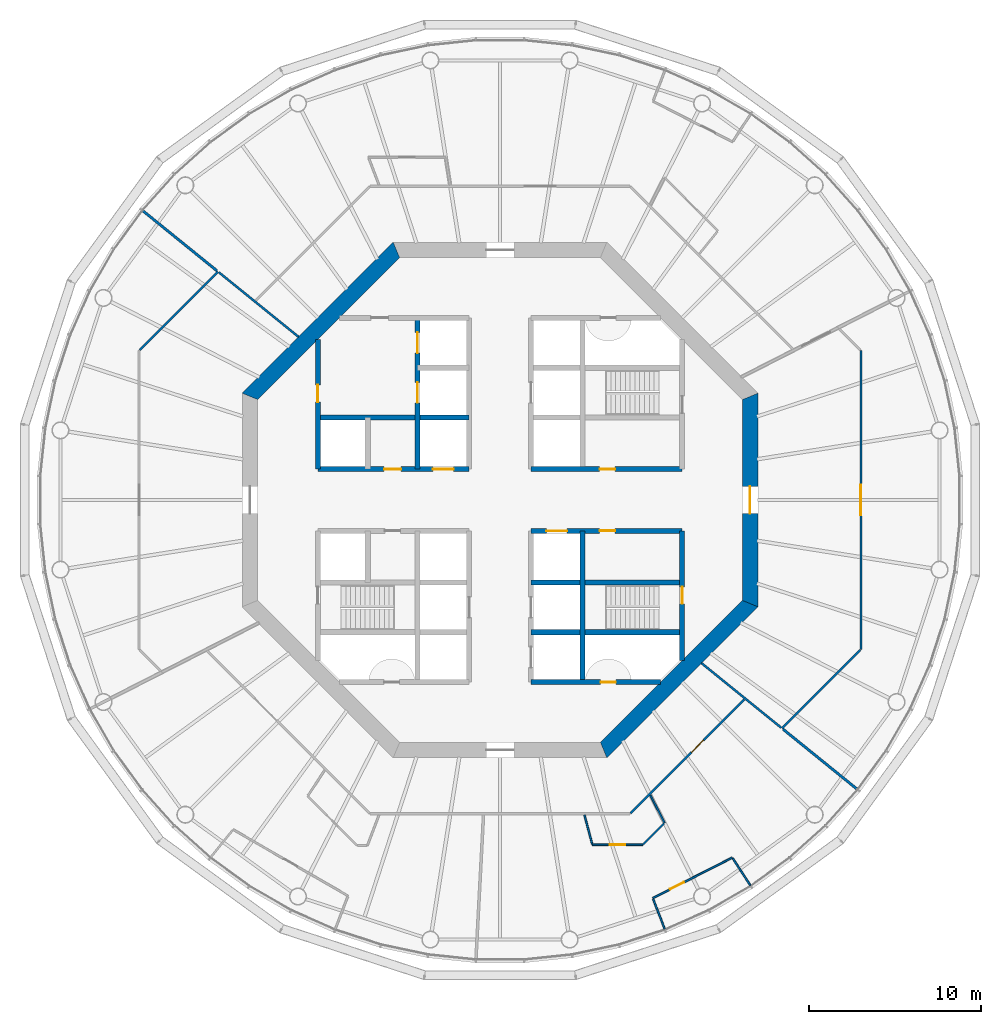
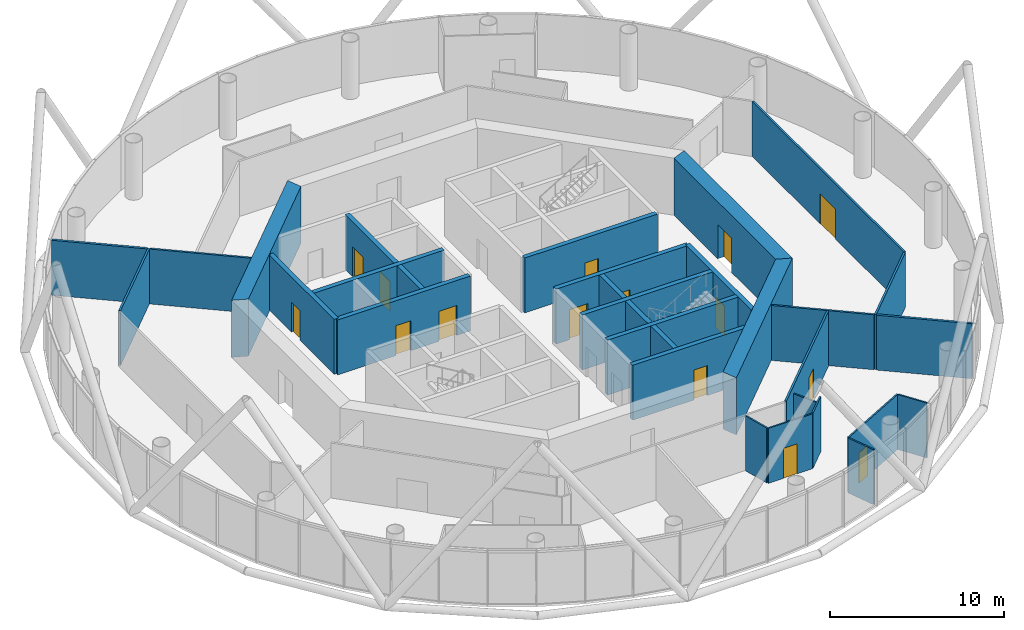
# One storey, part 4 of 13: 29 walls, 15 doors, 15 openings.
"""IFC4 building model written with IfcOpenShell, lengths in metres."""

from ifc_helpers import new_model, si_unit, direction, frame, frame_2d, origin, place, context, subcontext, project, spatial, polyline, rectangle, outline, extrude, material, layer, layer_set, type_object, element, fill, save


model = new_model("IFC4")

# Units and contexts
model_context = context("Model", 3, precision=1e-05, world=origin(), true_north=direction((0.0, 1.0)))
body_context = subcontext(model_context, "Body", "Model", "MODEL_VIEW")
ifc_project = project(units=[si_unit("LENGTHUNIT", "METRE"), si_unit("AREAUNIT", "SQUARE_METRE"), si_unit("VOLUMEUNIT", "CUBIC_METRE"), si_unit("PLANEANGLEUNIT", "RADIAN"), si_unit("MASSUNIT", "GRAM", prefix="KILO")], contexts=[model_context])

# Site, building, storey
site_placement = place(None, origin())
site = spatial("IfcSite", under=ifc_project, at=site_placement, CompositionType="ELEMENT")
building_placement = place(site_placement, origin())
building = spatial("IfcBuilding", under=site, at=building_placement, Name="Entoto Ring Tower", CompositionType="ELEMENT")
storey_placement = place(building_placement, frame((0.0, 0.0, 250.0)))
storey = spatial("IfcBuildingStorey", under=building, at=storey_placement, Name="L57", CompositionType="ELEMENT", Elevation=250.0)

# Wall, opening, door
ifc_material_1 = material(Name="Concrete C40/50", Category="concrete")
ifc_layer_1 = layer(ifc_material_1, 0.300048828125)
ifc_layer_set_1 = layer_set([ifc_layer_1], Name="Concrete C40/50")
wall_type_1 = type_object("IfcWallType", Name="Core enclosure wall 300 mm reinforced concrete", PredefinedType="SOLIDWALL", material=ifc_layer_set_1)
wall_1_placement = place(storey_placement, frame((100.60009765625, 70.65966796875, 0.0), z_axis=(0.0, 0.0, 1.0), x_axis=(0.0, 1.0, 0.0)))
wall_1 = element("IfcWall", 1, at=wall_1_placement, inside=storey, type_object=wall_type_1, Name="wall-L57-001", PredefinedType="SOLIDWALL", context=body_context, shape_type="SweptSolid", body=[
    extrude(rectangle(XDim=7.540283203125, YDim=0.300048828125, at=frame_2d((3.77001953125, 0.0))), origin(), (0.0, 0.0, 1.0), 3.85009765625),
])
opening_1_placement = place(wall_1_placement, frame((3.290283203125, 0.0, 0.0)))
opening_1 = element("IfcOpeningElement", 2, at=opening_1_placement, cuts=wall_1, Name="Opening K-17", PredefinedType="OPENING", context=body_context, shape_type="SweptSolid", body=[
    extrude(rectangle(XDim=1.0, YDim=2.10009765625, at=frame_2d((0.5, 1.050048828125))), frame((0.0, 0.16015625, 0.0), z_axis=(0.0, -1.0, 0.0), x_axis=(1.0, 0.0, 0.0)), (0.0, 0.0, 1.0), 0.320068359375),
])
ifc_material_2 = material(Name="Steel door leaf, fire rated", Category="steel")
ifc_layer_2 = layer(ifc_material_2, 0.050048828125)
ifc_layer_set_2 = layer_set([ifc_layer_2], Name="Steel door leaf, fire rated")
door_type_1 = type_object("IfcDoorType", Name="Fire door FD60 1000 x 2100 single leaf", OperationType="NOTDEFINED", PredefinedType="DOOR", material=ifc_layer_set_2)
door_1_placement = place(opening_1_placement, origin())
door_1 = element("IfcDoor", 3, at=door_1_placement, inside=storey, type_object=door_type_1, Name="Door K-17", OperationType="SINGLE_SWING_RIGHT", OverallHeight=2.10009765625, OverallWidth=1.0, PredefinedType="DOOR", context=body_context, shape_type="SweptSolid", body=[
    extrude(rectangle(XDim=1.0, YDim=2.10009765625, at=frame_2d((0.5, 1.050048828125))), frame((0.0, 0.02490234375, 0.0), z_axis=(0.0, -1.0, 0.0), x_axis=(1.0, 0.0, 0.0)), (0.0, 0.0, 1.0), 0.050048828125),
])
fill(opening_1, door_1)

# Wall
wall_2_placement = place(storey_placement, frame((94.800048828125, 69.39990234375, 0.0), z_axis=(0.0, 0.0, 1.0), x_axis=(0.0, 1.0, 0.0)))
element("IfcWall", 4, at=wall_2_placement, inside=storey, type_object=wall_type_1, Name="wall-L57-003", PredefinedType="SOLIDWALL", context=body_context, shape_type="SweptSolid", body=[
    extrude(rectangle(XDim=8.800048828125, YDim=0.300048828125, at=frame_2d((4.39990234375, 0.0))), origin(), (0.0, 0.0, 1.0), 3.85009765625),
])

# Wall, openings, doors
wall_3_placement = place(storey_placement, frame((85.199951171875, 81.800048828125, 0.0), z_axis=(0.0, 0.0, 1.0), x_axis=(0.0, 1.0, 0.0)))
wall_3 = element("IfcWall", 5, at=wall_3_placement, inside=storey, type_object=wall_type_1, Name="wall-L57-010", PredefinedType="SOLIDWALL", context=body_context, shape_type="SweptSolid", body=[
    extrude(rectangle(XDim=8.800048828125, YDim=0.300048828125, at=frame_2d((4.39990234375, 0.0))), origin(), (0.0, 0.0, 1.0), 3.85009765625),
])
opening_2_placement = place(wall_3_placement, frame((3.85009765625, 0.0, 0.0)))
opening_2 = element("IfcOpeningElement", 6, at=opening_2_placement, cuts=wall_3, Name="Opening LD", PredefinedType="OPENING", context=body_context, shape_type="SweptSolid", body=[
    extrude(rectangle(XDim=1.199951171875, YDim=2.10009765625, at=frame_2d((0.60009765625, 1.050048828125))), frame((0.0, 0.16015625, 0.0), z_axis=(0.0, -1.0, 0.0), x_axis=(1.0, 0.0, 0.0)), (0.0, 0.0, 1.0), 0.320068359375),
])
opening_3_placement = place(wall_3_placement, frame((6.75, 0.0, 0.0)))
opening_3 = element("IfcOpeningElement", 7, at=opening_3_placement, cuts=wall_3, Name="Opening LD", PredefinedType="OPENING", context=body_context, shape_type="SweptSolid", body=[
    extrude(rectangle(XDim=1.199951171875, YDim=2.10009765625, at=frame_2d((0.60009765625, 1.050048828125))), frame((0.0, 0.16015625, 0.0), z_axis=(0.0, -1.0, 0.0), x_axis=(1.0, 0.0, 0.0)), (0.0, 0.0, 1.0), 0.320068359375),
])
ifc_material_3 = material(Name="Steel and glass door leaf", Category="steel")
ifc_layer_3 = layer(ifc_material_3, 0.050048828125)
ifc_layer_set_3 = layer_set([ifc_layer_3], Name="Steel and glass door leaf")
door_type_2 = type_object("IfcDoorType", Name="Landing door 1200 x 2100 sliding", OperationType="DOUBLE_DOOR_SLIDING", PredefinedType="DOOR", material=ifc_layer_set_3)
door_2_placement = place(opening_2_placement, origin())
door_2 = element("IfcDoor", 8, at=door_2_placement, inside=storey, type_object=door_type_2, Name="Landing door FF1", OperationType="SLIDING_TO_RIGHT", OverallHeight=2.10009765625, OverallWidth=1.199951171875, PredefinedType="DOOR", context=body_context, shape_type="SweptSolid", body=[
    extrude(rectangle(XDim=1.199951171875, YDim=2.10009765625, at=frame_2d((0.60009765625, 1.050048828125))), frame((0.0, 0.02490234375, 0.0), z_axis=(0.0, -1.0, 0.0), x_axis=(1.0, 0.0, 0.0)), (0.0, 0.0, 1.0), 0.050048828125),
])
fill(opening_2, door_2)
door_3_placement = place(opening_3_placement, origin())
door_3 = element("IfcDoor", 9, at=door_3_placement, inside=storey, type_object=door_type_2, Name="Landing door FF2", OperationType="SLIDING_TO_RIGHT", OverallHeight=2.10009765625, OverallWidth=1.199951171875, PredefinedType="DOOR", context=body_context, shape_type="SweptSolid", body=[
    extrude(rectangle(XDim=1.199951171875, YDim=2.10009765625, at=frame_2d((0.60009765625, 1.050048828125))), frame((0.0, 0.02490234375, 0.0), z_axis=(0.0, -1.0, 0.0), x_axis=(1.0, 0.0, 0.0)), (0.0, 0.0, 1.0), 0.050048828125),
])
fill(opening_3, door_3)

# Wall, opening, door
wall_4_placement = place(storey_placement, frame((79.39990234375, 81.800048828125, 0.0), z_axis=(0.0, 0.0, 1.0), x_axis=(0.0, 1.0, 0.0)))
wall_4 = element("IfcWall", 10, at=wall_4_placement, inside=storey, type_object=wall_type_1, Name="wall-L57-014", PredefinedType="SOLIDWALL", context=body_context, shape_type="SweptSolid", body=[
    extrude(rectangle(XDim=7.540283203125, YDim=0.300048828125, at=frame_2d((3.77001953125, 0.0))), origin(), (0.0, 0.0, 1.0), 3.85009765625),
])
opening_4_placement = place(wall_4_placement, frame((3.89990234375, 0.0, 0.0)))
opening_4 = element("IfcOpeningElement", 11, at=opening_4_placement, cuts=wall_4, Name="Opening K-67", PredefinedType="OPENING", context=body_context, shape_type="SweptSolid", body=[
    extrude(rectangle(XDim=1.0, YDim=2.10009765625, at=frame_2d((0.5, 1.050048828125))), frame((0.0, 0.16015625, 0.0), z_axis=(0.0, -1.0, 0.0), x_axis=(1.0, 0.0, 0.0)), (0.0, 0.0, 1.0), 0.320068359375),
])
door_4_placement = place(opening_4_placement, frame((1.0, 0.0, 0.0), z_axis=(0.0, 0.0, 1.0), x_axis=(-1.0, 0.0, 0.0)))
door_4 = element("IfcDoor", 12, at=door_4_placement, inside=storey, type_object=door_type_1, Name="Door K-67", OperationType="SINGLE_SWING_RIGHT", OverallHeight=2.10009765625, OverallWidth=1.0, PredefinedType="DOOR", context=body_context, shape_type="SweptSolid", body=[
    extrude(rectangle(XDim=1.0, YDim=2.10009765625, at=frame_2d((0.5, 1.050048828125))), frame((0.0, 0.02490234375, 0.0), z_axis=(0.0, -1.0, 0.0), x_axis=(1.0, 0.0, 0.0)), (0.0, 0.0, 1.0), 0.050048828125),
])
fill(opening_4, door_4)

wall_5_placement = place(storey_placement, frame((91.800048828125, 69.39990234375, 0.0), z_axis=(0.0, 0.0, 1.0), x_axis=(1.0, 0.0, 0.0)))
wall_5 = element("IfcWall", 13, at=wall_5_placement, inside=storey, type_object=wall_type_1, Name="wall-L57-016", PredefinedType="SOLIDWALL", context=body_context, shape_type="SweptSolid", body=[
    extrude(rectangle(XDim=7.540283203125, YDim=0.300048828125, at=frame_2d((3.77001953125, 0.0))), origin(), (0.0, 0.0, 1.0), 3.85009765625),
])
opening_5_placement = place(wall_5_placement, frame((4.050048828125, 0.0, 0.0)))
opening_5 = element("IfcOpeningElement", 14, at=opening_5_placement, cuts=wall_5, Name="Opening K-20", PredefinedType="OPENING", context=body_context, shape_type="SweptSolid", body=[
    extrude(rectangle(XDim=0.89990234375, YDim=2.10009765625, at=frame_2d((0.449951171875, 1.050048828125))), frame((0.0, 0.16015625, 0.0), z_axis=(0.0, -1.0, 0.0), x_axis=(1.0, 0.0, 0.0)), (0.0, 0.0, 1.0), 0.320068359375),
])
ifc_material_4 = material(Name="Steel door leaf, fire rated", Category="steel")
ifc_layer_4 = layer(ifc_material_4, 0.050048828125)
ifc_layer_set_4 = layer_set([ifc_layer_4], Name="Steel door leaf, fire rated")
door_type_3 = type_object("IfcDoorType", Name="Riser door FD60 900 x 2100 single leaf", OperationType="NOTDEFINED", PredefinedType="DOOR", material=ifc_layer_set_4)
door_5_placement = place(opening_5_placement, origin())
door_5 = element("IfcDoor", 15, at=door_5_placement, inside=storey, type_object=door_type_3, Name="Door K-20", OperationType="SINGLE_SWING_LEFT", OverallHeight=2.10009765625, OverallWidth=0.89990234375, PredefinedType="DOOR", context=body_context, shape_type="SweptSolid", body=[
    extrude(rectangle(XDim=0.89990234375, YDim=2.10009765625, at=frame_2d((0.449951171875, 1.050048828125))), frame((0.0, 0.02490234375, 0.0), z_axis=(0.0, -1.0, 0.0), x_axis=(1.0, 0.0, 0.0)), (0.0, 0.0, 1.0), 0.050048828125),
])
fill(opening_5, door_5)

# Walls
for number, where, z_axis, x_axis, name in (
    (16, (91.800048828125, 72.300048828125, 0.0), (0.0, 0.0, 1.0), (1.0, 0.0, 0.0), "wall-L57-018"),
    (17, (91.800048828125, 75.199951171875, 0.0), (0.0, 0.0, 1.0), (1.0, 0.0, 0.0), "wall-L57-020"),
):
    element("IfcWall", number, at=place(storey_placement, frame(where, z_axis=z_axis, x_axis=x_axis)), inside=storey, type_object=wall_type_1, Name=name, PredefinedType="SOLIDWALL", context=body_context, shape_type="SweptSolid", body=[
        extrude(rectangle(XDim=8.800048828125, YDim=0.300048828125, at=frame_2d((4.39990234375, 0.0))), origin(), (0.0, 0.0, 1.0), 3.85009765625),
    ])

# Wall, openings, doors
wall_6_placement = place(storey_placement, frame((91.800048828125, 78.199951171875, 0.0), z_axis=(0.0, 0.0, 1.0), x_axis=(1.0, 0.0, 0.0)))
wall_6 = element("IfcWall", 18, at=wall_6_placement, inside=storey, type_object=wall_type_1, Name="wall-L57-022", PredefinedType="SOLIDWALL", context=body_context, shape_type="SweptSolid", body=[
    extrude(rectangle(XDim=8.800048828125, YDim=0.300048828125, at=frame_2d((4.39990234375, 0.0))), origin(), (0.0, 0.0, 1.0), 3.85009765625),
])
opening_6_placement = place(wall_6_placement, frame((0.89990234375, 0.0, 0.0)))
opening_6 = element("IfcOpeningElement", 19, at=opening_6_placement, cuts=wall_6, Name="Opening LD", PredefinedType="OPENING", context=body_context, shape_type="SweptSolid", body=[
    extrude(rectangle(XDim=1.199951171875, YDim=2.10009765625, at=frame_2d((0.60009765625, 1.050048828125))), frame((0.0, 0.16015625, 0.0), z_axis=(0.0, -1.0, 0.0), x_axis=(1.0, 0.0, 0.0)), (0.0, 0.0, 1.0), 0.320068359375),
])
opening_7_placement = place(wall_6_placement, frame((4.0, 0.0, 0.0)))
opening_7 = element("IfcOpeningElement", 20, at=opening_7_placement, cuts=wall_6, Name="Opening K-12", PredefinedType="OPENING", context=body_context, shape_type="SweptSolid", body=[
    extrude(rectangle(XDim=0.89990234375, YDim=2.10009765625, at=frame_2d((0.449951171875, 1.050048828125))), frame((0.0, 0.16015625, 0.0), z_axis=(0.0, -1.0, 0.0), x_axis=(1.0, 0.0, 0.0)), (0.0, 0.0, 1.0), 0.320068359375),
])
ifc_material_5 = material(Name="Steel door leaf, fire rated", Category="steel")
ifc_layer_5 = layer(ifc_material_5, 0.050048828125)
ifc_layer_set_5 = layer_set([ifc_layer_5], Name="Steel door leaf, fire rated")
door_type_4 = type_object("IfcDoorType", Name="Core door 900 x 2100 single leaf", OperationType="NOTDEFINED", PredefinedType="DOOR", material=ifc_layer_set_5)
door_6_placement = place(opening_7_placement, frame((0.89990234375, 0.0, 0.0), z_axis=(0.0, 0.0, 1.0), x_axis=(-1.0, 0.0, 0.0)))
door_6 = element("IfcDoor", 21, at=door_6_placement, inside=storey, type_object=door_type_4, Name="Door K-12", OperationType="SINGLE_SWING_RIGHT", OverallHeight=2.10009765625, OverallWidth=0.89990234375, PredefinedType="DOOR", context=body_context, shape_type="SweptSolid", body=[
    extrude(rectangle(XDim=0.89990234375, YDim=2.10009765625, at=frame_2d((0.449951171875, 1.050048828125))), frame((0.0, 0.02490234375, 0.0), z_axis=(0.0, -1.0, 0.0), x_axis=(1.0, 0.0, 0.0)), (0.0, 0.0, 1.0), 0.050048828125),
])
fill(opening_7, door_6)
door_7_placement = place(opening_6_placement, origin())
door_7 = element("IfcDoor", 22, at=door_7_placement, inside=storey, type_object=door_type_2, Name="Landing door LB6-MR", OperationType="SLIDING_TO_LEFT", OverallHeight=2.10009765625, OverallWidth=1.199951171875, PredefinedType="DOOR", context=body_context, shape_type="SweptSolid", body=[
    extrude(rectangle(XDim=1.199951171875, YDim=2.10009765625, at=frame_2d((0.60009765625, 1.050048828125))), frame((0.0, 0.02490234375, 0.0), z_axis=(0.0, -1.0, 0.0), x_axis=(1.0, 0.0, 0.0)), (0.0, 0.0, 1.0), 0.050048828125),
])
fill(opening_6, door_7)

wall_7_placement = place(storey_placement, frame((79.39990234375, 81.800048828125, 0.0), z_axis=(0.0, 0.0, 1.0), x_axis=(1.0, 0.0, 0.0)))
wall_7 = element("IfcWall", 23, at=wall_7_placement, inside=storey, type_object=wall_type_1, Name="wall-L57-023", PredefinedType="SOLIDWALL", context=body_context, shape_type="SweptSolid", body=[
    extrude(rectangle(XDim=8.800048828125, YDim=0.300048828125, at=frame_2d((4.39990234375, 0.0))), origin(), (0.0, 0.0, 1.0), 3.85009765625),
])
opening_8_placement = place(wall_7_placement, frame((6.699951171875, 0.0, 0.0)))
opening_8 = element("IfcOpeningElement", 24, at=opening_8_placement, cuts=wall_7, Name="Opening LD", PredefinedType="OPENING", context=body_context, shape_type="SweptSolid", body=[
    extrude(rectangle(XDim=1.199951171875, YDim=2.10009765625, at=frame_2d((0.60009765625, 1.050048828125))), frame((0.0, 0.16015625, 0.0), z_axis=(0.0, -1.0, 0.0), x_axis=(1.0, 0.0, 0.0)), (0.0, 0.0, 1.0), 0.320068359375),
])
opening_9_placement = place(wall_7_placement, frame((3.85009765625, 0.0, 0.0)))
opening_9 = element("IfcOpeningElement", 25, at=opening_9_placement, cuts=wall_7, Name="Opening K-13", PredefinedType="OPENING", context=body_context, shape_type="SweptSolid", body=[
    extrude(rectangle(XDim=1.0, YDim=2.10009765625, at=frame_2d((0.5, 1.050048828125))), frame((0.0, 0.16015625, 0.0), z_axis=(0.0, -1.0, 0.0), x_axis=(1.0, 0.0, 0.0)), (0.0, 0.0, 1.0), 0.320068359375),
])
ifc_material_6 = material(Name="Steel door leaf, fire rated", Category="steel")
ifc_layer_6 = layer(ifc_material_6, 0.050048828125)
ifc_layer_set_6 = layer_set([ifc_layer_6], Name="Steel door leaf, fire rated")
door_type_5 = type_object("IfcDoorType", Name="Accessible door 1000 x 2100 single leaf", OperationType="NOTDEFINED", PredefinedType="DOOR", material=ifc_layer_set_6)
door_8_placement = place(opening_9_placement, origin())
door_8 = element("IfcDoor", 26, at=door_8_placement, inside=storey, type_object=door_type_5, Name="Door K-13", OperationType="SINGLE_SWING_LEFT", OverallHeight=2.10009765625, OverallWidth=1.0, PredefinedType="DOOR", context=body_context, shape_type="SweptSolid", body=[
    extrude(rectangle(XDim=1.0, YDim=2.10009765625, at=frame_2d((0.5, 1.050048828125))), frame((0.0, 0.02490234375, 0.0), z_axis=(0.0, -1.0, 0.0), x_axis=(1.0, 0.0, 0.0)), (0.0, 0.0, 1.0), 0.050048828125),
])
fill(opening_9, door_8)
door_9_placement = place(opening_8_placement, origin())
door_9 = element("IfcDoor", 27, at=door_9_placement, inside=storey, type_object=door_type_2, Name="Landing door LB5-MR", OperationType="SLIDING_TO_LEFT", OverallHeight=2.10009765625, OverallWidth=1.199951171875, PredefinedType="DOOR", context=body_context, shape_type="SweptSolid", body=[
    extrude(rectangle(XDim=1.199951171875, YDim=2.10009765625, at=frame_2d((0.60009765625, 1.050048828125))), frame((0.0, 0.02490234375, 0.0), z_axis=(0.0, -1.0, 0.0), x_axis=(1.0, 0.0, 0.0)), (0.0, 0.0, 1.0), 0.050048828125),
])
fill(opening_8, door_9)

# Wall, opening, door
wall_8_placement = place(storey_placement, frame((91.800048828125, 81.800048828125, 0.0), z_axis=(0.0, 0.0, 1.0), x_axis=(1.0, 0.0, 0.0)))
wall_8 = element("IfcWall", 28, at=wall_8_placement, inside=storey, type_object=wall_type_1, Name="wall-L57-024", PredefinedType="SOLIDWALL", context=body_context, shape_type="SweptSolid", body=[
    extrude(rectangle(XDim=8.800048828125, YDim=0.300048828125, at=frame_2d((4.39990234375, 0.0))), origin(), (0.0, 0.0, 1.0), 3.85009765625),
])
opening_10_placement = place(wall_8_placement, frame((4.0, 0.0, 0.0)))
opening_10 = element("IfcOpeningElement", 29, at=opening_10_placement, cuts=wall_8, Name="Opening K-11", PredefinedType="OPENING", context=body_context, shape_type="SweptSolid", body=[
    extrude(rectangle(XDim=0.89990234375, YDim=2.10009765625, at=frame_2d((0.449951171875, 1.050048828125))), frame((0.0, 0.16015625, 0.0), z_axis=(0.0, -1.0, 0.0), x_axis=(1.0, 0.0, 0.0)), (0.0, 0.0, 1.0), 0.320068359375),
])
door_10_placement = place(opening_10_placement, origin())
door_10 = element("IfcDoor", 30, at=door_10_placement, inside=storey, type_object=door_type_4, Name="Door K-11", OperationType="SINGLE_SWING_LEFT", OverallHeight=2.10009765625, OverallWidth=0.89990234375, PredefinedType="DOOR", context=body_context, shape_type="SweptSolid", body=[
    extrude(rectangle(XDim=0.89990234375, YDim=2.10009765625, at=frame_2d((0.449951171875, 1.050048828125))), frame((0.0, 0.02490234375, 0.0), z_axis=(0.0, -1.0, 0.0), x_axis=(1.0, 0.0, 0.0)), (0.0, 0.0, 1.0), 0.050048828125),
])
fill(opening_10, door_10)

# Wall
wall_9_placement = place(storey_placement, frame((79.39990234375, 84.800048828125, 0.0), z_axis=(0.0, 0.0, 1.0), x_axis=(1.0, 0.0, 0.0)))
element("IfcWall", 31, at=wall_9_placement, inside=storey, type_object=wall_type_1, Name="wall-L57-025", PredefinedType="SOLIDWALL", context=body_context, shape_type="SweptSolid", body=[
    extrude(rectangle(XDim=8.800048828125, YDim=0.300048828125, at=frame_2d((4.39990234375, 0.0))), origin(), (0.0, 0.0, 1.0), 3.85009765625),
])

# Wall, opening, door
ifc_material_7 = material(Name="Concrete C50/60", Category="concrete")
ifc_layer_7 = layer(ifc_material_7, 0.89990234375)
ifc_layer_set_7 = layer_set([ifc_layer_7], Name="Concrete C50/60")
wall_type_2 = type_object("IfcWallType", Name="Core shear wall 900 mm reinforced concrete C50/60", PredefinedType="SHEAR", material=ifc_layer_set_7)
wall_10_placement = place(storey_placement, frame((104.550048828125, 73.97314453125, 0.0), z_axis=(0.0, 0.0, 1.0), x_axis=(0.0, 1.0, 0.0)))
wall_10 = element("IfcWall", 32, at=wall_10_placement, inside=storey, type_object=wall_type_2, Name="wall-L57-core-0", PredefinedType="SHEAR", context=body_context, shape_type="SweptSolid", body=[
    extrude(outline(polyline([(-0.186279296875, -0.449951171875), (12.239990234375, -0.449951171875), (11.867431640625, 0.449951171875), (0.186279296875, 0.449951171875), (-0.186279296875, -0.449951171875)])), origin(), (0.0, 0.0, 1.0), 4.0),
])
opening_11_placement = place(wall_10_placement, frame((5.226806640625, 0.0, 0.0)))
opening_11 = element("IfcOpeningElement", 33, at=opening_11_placement, cuts=wall_10, Name="Opening K-01", PredefinedType="OPENING", context=body_context, shape_type="SweptSolid", body=[
    extrude(rectangle(XDim=1.60009765625, YDim=2.39990234375, at=frame_2d((0.800048828125, 1.199951171875))), frame((0.0, 0.4599609375, 0.0), z_axis=(0.0, -1.0, 0.0), x_axis=(1.0, 0.0, 0.0)), (0.0, 0.0, 1.0), 0.919921875),
])
ifc_material_8 = material(Name="Steel door leaf, fire rated", Category="steel")
ifc_layer_8 = layer(ifc_material_8, 0.050048828125)
ifc_layer_set_8 = layer_set([ifc_layer_8], Name="Steel door leaf, fire rated")
door_type_6 = type_object("IfcDoorType", Name="Entrance door FD60 1600 x 2400 double leaf", OperationType="DOUBLE_DOOR_SINGLE_SWING", PredefinedType="DOOR", material=ifc_layer_set_8)
door_11_placement = place(opening_11_placement, origin())
door_11 = element("IfcDoor", 34, at=door_11_placement, inside=storey, type_object=door_type_6, Name="Entrance door K-01", OperationType="DOUBLE_DOOR_SINGLE_SWING", OverallHeight=2.39990234375, OverallWidth=1.60009765625, PredefinedType="DOOR", context=body_context, shape_type="SweptSolid", body=[
    extrude(rectangle(XDim=1.60009765625, YDim=2.39990234375, at=frame_2d((0.800048828125, 1.199951171875))), frame((0.0, 0.02490234375, 0.0), z_axis=(0.0, -1.0, 0.0), x_axis=(1.0, 0.0, 0.0)), (0.0, 0.0, 1.0), 0.050048828125),
])
fill(opening_11, door_11)

# Walls
for number, where, z_axis, x_axis, name in (
    (35, (83.97314453125, 94.550048828125, 0.0), (0.0, 0.0, 1.0), (-0.707106781187, -0.707106781187, 0.0), "wall-L57-core-3"),
    (36, (96.02685546875, 65.449951171875, 0.0), (0.0, 0.0, 1.0), (0.707106781187, 0.707106781187, 0.0), "wall-L57-core-7"),
):
    element("IfcWall", number, at=place(storey_placement, frame(where, z_axis=z_axis, x_axis=x_axis)), inside=storey, type_object=wall_type_2, Name=name, PredefinedType="SHEAR", context=body_context, shape_type="SweptSolid", body=[
        extrude(outline(polyline([(-0.186279296875, -0.449951171875), (12.239990234375, -0.449951171875), (11.867431640625, 0.449951171875), (0.186279296875, 0.449951171875), (-0.186279296875, -0.449951171875)])), origin(), (0.0, 0.0, 1.0), 4.0),
    ])

# Wall, opening, door
ifc_material_9 = material(Name="Fire-resisting plasterboard on steel studs", Category="steel")
ifc_layer_9 = layer(ifc_material_9, 0.125)
ifc_layer_set_9 = layer_set([ifc_layer_9], Name="Fire-resisting plasterboard on steel studs")
wall_type_3 = type_object("IfcWallType", Name="Corridor wall 125 mm one-hour plasterboard on steel studs", PredefinedType="PARTITIONING", material=ifc_layer_set_9)
wall_11_placement = place(storey_placement, frame((111.0, 71.301513671875, 0.0), z_axis=(0.0, 0.0, 1.0), x_axis=(0.0, 1.0, 0.0)))
wall_11 = element("IfcWall", 37, at=wall_11_placement, inside=storey, type_object=wall_type_3, Name="partition-L57-002", PredefinedType="PARTITIONING", context=body_context, shape_type="SweptSolid", body=[
    extrude(rectangle(XDim=17.39697265625, YDim=0.125, at=frame_2d((8.698486328125, 0.0))), origin(), (0.0, 0.0, 1.0), 3.85009765625),
])
opening_12_placement = place(wall_11_placement, frame((7.798583984375, 0.0, 0.0)))
opening_12 = element("IfcOpeningElement", 38, at=opening_12_placement, cuts=wall_11, Name="Opening A25-D01", PredefinedType="OPENING", context=body_context, shape_type="SweptSolid", body=[
    extrude(rectangle(XDim=1.800048828125, YDim=2.10009765625, at=frame_2d((0.89990234375, 1.050048828125))), frame((0.0, 0.072509765625, 0.0), z_axis=(0.0, -1.0, 0.0), x_axis=(1.0, 0.0, 0.0)), (0.0, 0.0, 1.0), 0.14501953125),
])
ifc_material_10 = material(Name="Fire-resisting timber door set", Category="wood")
door_type_7 = type_object("IfcDoorType", Name="Door 1800 x 2100 double leaf FD30S fire door", OperationType="DOUBLE_DOOR_SINGLE_SWING", PredefinedType="DOOR", material=ifc_material_10)
door_12_placement = place(opening_12_placement, frame((1.800048828125, 0.0, 0.0), z_axis=(0.0, 0.0, 1.0), x_axis=(-1.0, 0.0, 0.0)))
door_12 = element("IfcDoor", 39, at=door_12_placement, inside=storey, type_object=door_type_7, Name="Door A25-D01", OperationType="DOUBLE_DOOR_SINGLE_SWING", OverallHeight=2.10009765625, OverallWidth=1.800048828125, PredefinedType="DOOR", context=body_context, shape_type="SweptSolid", body=[
    extrude(rectangle(XDim=1.800048828125, YDim=2.10009765625, at=frame_2d((0.89990234375, 1.050048828125))), frame((0.0, 0.02490234375, 0.0), z_axis=(0.0, -1.0, 0.0), x_axis=(1.0, 0.0, 0.0)), (0.0, 0.0, 1.0), 0.050048828125),
])
fill(opening_12, door_12)

wall_12_placement = place(storey_placement, frame((97.595703125, 61.7685546875, 0.0), z_axis=(0.0, 0.0, 1.0), x_axis=(0.707093754284, 0.707119807849, 0.0)))
wall_12 = element("IfcWall", 40, at=wall_12_placement, inside=storey, type_object=wall_type_3, Name="partition-L57-008", PredefinedType="PARTITIONING", context=body_context, shape_type="SweptSolid", body=[
    extrude(rectangle(XDim=9.37060546875, YDim=0.125, at=frame_2d((4.685302734375, 0.0))), origin(), (0.0, 0.0, 1.0), 3.85009765625),
])
opening_13_placement = place(wall_12_placement, frame((5.013427734375, 0.0, 0.0)))
opening_13 = element("IfcOpeningElement", 41, at=opening_13_placement, cuts=wall_12, Name="Opening A25-D11", PredefinedType="OPENING", context=body_context, shape_type="SweptSolid", body=[
    extrude(rectangle(XDim=1.0, YDim=2.10009765625, at=frame_2d((0.5, 1.050048828125))), frame((0.0, 0.072509765625, 0.0), z_axis=(0.0, -1.0, 0.0), x_axis=(1.0, 0.0, 0.0)), (0.0, 0.0, 1.0), 0.14501953125),
])
ifc_material_11 = material(Name="Fire-resisting timber door set", Category="wood")
door_type_8 = type_object("IfcDoorType", Name="Door 1000 x 2100 single leaf FD30S fire door", OperationType="NOTDEFINED", PredefinedType="DOOR", material=ifc_material_11)
door_13_placement = place(opening_13_placement, frame((1.0, 0.0, 0.0), z_axis=(0.0, 0.0, 1.0), x_axis=(-1.0, 0.0, 0.0)))
door_13 = element("IfcDoor", 42, at=door_13_placement, inside=storey, type_object=door_type_8, Name="Door A25-D11", OperationType="SINGLE_SWING_LEFT", OverallHeight=2.10009765625, OverallWidth=1.0, PredefinedType="DOOR", context=body_context, shape_type="SweptSolid", body=[
    extrude(rectangle(XDim=1.0, YDim=2.10009765625, at=frame_2d((0.5, 1.050048828125))), frame((0.0, 0.02490234375, 0.0), z_axis=(0.0, -1.0, 0.0), x_axis=(1.0, 0.0, 0.0)), (0.0, 0.0, 1.0), 0.050048828125),
])
fill(opening_13, door_13)

# Walls
for number, where, z_axis, x_axis, name in (
    (43, (69.031005859375, 88.7294921875, 0.0), (0.0, 0.0, 1.0), (0.707106781187, 0.707106781187, 0.0), "partition-L57-009"),
    (44, (106.409912109375, 66.71142578125, 0.0), (0.0, 0.0, 1.0), (0.707106781187, 0.707106781187, 0.0), "partition-L57-010"),
):
    element("IfcWall", number, at=place(storey_placement, frame(where, z_axis=z_axis, x_axis=x_axis)), inside=storey, type_object=wall_type_3, Name=name, PredefinedType="PARTITIONING", context=body_context, shape_type="SweptSolid", body=[
        extrude(rectangle(XDim=6.447509765625, YDim=0.125, at=frame_2d((3.2236328125, 0.0))), origin(), (0.0, 0.0, 1.0), 3.85009765625),
    ])
for number, where, z_axis, x_axis, name in (
    (45, (78.278564453125, 89.49169921875, 0.0), (0.0, 0.0, 1.0), (-0.777137265192, 0.629331129891, 0.0), "partition-L57-013"),
    (46, (106.36181640625, 66.75048828125, 0.0), (0.0, 0.0, 1.0), (-0.777137265192, 0.629331129891, 0.0), "partition-L57-014"),
):
    element("IfcWall", number, at=place(storey_placement, frame(where, z_axis=z_axis, x_axis=x_axis)), inside=storey, type_object=wall_type_3, Name=name, PredefinedType="PARTITIONING", context=body_context, shape_type="SweptSolid", body=[
        extrude(rectangle(XDim=5.97119140625, YDim=0.125, at=frame_2d((2.985595703125, 0.0))), origin(), (0.0, 0.0, 1.0), 3.85009765625),
    ])

# Wall, opening, door
ifc_material_12 = material(Name="Plasterboard on steel studs", Category="steel")
ifc_layer_10 = layer(ifc_material_12, 0.10009765625)
ifc_layer_set_10 = layer_set([ifc_layer_10], Name="Plasterboard on steel studs")
wall_type_4 = type_object("IfcWallType", Name="Partition 100 mm plasterboard on steel studs", PredefinedType="PARTITIONING", material=ifc_layer_set_10)
wall_13_placement = place(storey_placement, frame((98.894775390625, 56.82861328125, 0.0), z_axis=(0.0, 0.0, 1.0), x_axis=(0.891013641009, 0.453976531921, 0.0)))
wall_13 = element("IfcWall", 47, at=wall_13_placement, inside=storey, type_object=wall_type_4, Name="partition-L57-024", PredefinedType="PARTITIONING", context=body_context, shape_type="SweptSolid", body=[
    extrude(rectangle(XDim=5.1884765625, YDim=0.10009765625, at=frame_2d((2.59423828125, 0.0))), origin(), (0.0, 0.0, 1.0), 3.85009765625),
])
opening_14_placement = place(wall_13_placement, frame((1.127685546875, 0.0, 0.0)))
opening_14 = element("IfcOpeningElement", 48, at=opening_14_placement, cuts=wall_13, Name="Opening A25-D13", PredefinedType="OPENING", context=body_context, shape_type="SweptSolid", body=[
    extrude(rectangle(XDim=0.89990234375, YDim=2.10009765625, at=frame_2d((0.449951171875, 1.050048828125))), frame((0.0, 0.06005859375, 0.0), z_axis=(0.0, -1.0, 0.0), x_axis=(1.0, 0.0, 0.0)), (0.0, 0.0, 1.0), 0.1201171875),
])
ifc_material_13 = material(Name="Veneered timber door leaf in timber frame", Category="wood")
door_type_9 = type_object("IfcDoorType", Name="Door 900 x 2100 single leaf timber veneer", OperationType="NOTDEFINED", PredefinedType="DOOR", material=ifc_material_13)
door_14_placement = place(opening_14_placement, frame((0.89990234375, 0.0, 0.0), z_axis=(0.0, 0.0, 1.0), x_axis=(-1.0, 0.0, 0.0)))
door_14 = element("IfcDoor", 49, at=door_14_placement, inside=storey, type_object=door_type_9, Name="Door A25-D13", OperationType="SINGLE_SWING_RIGHT", OverallHeight=2.10009765625, OverallWidth=0.89990234375, PredefinedType="DOOR", context=body_context, shape_type="SweptSolid", body=[
    extrude(rectangle(XDim=0.89990234375, YDim=2.10009765625, at=frame_2d((0.449951171875, 1.050048828125))), frame((0.0, 0.02490234375, 0.0), z_axis=(0.0, -1.0, 0.0), x_axis=(1.0, 0.0, 0.0)), (0.0, 0.0, 1.0), 0.050048828125),
])
fill(opening_14, door_14)

wall_14_placement = place(storey_placement, frame((95.375732421875, 59.9375, 0.0), z_axis=(0.0, 0.0, 1.0), x_axis=(1.0, 0.0, 0.0)))
wall_14 = element("IfcWall", 50, at=wall_14_placement, inside=storey, type_object=wall_type_4, Name="partition-L57-028", PredefinedType="PARTITIONING", context=body_context, shape_type="SweptSolid", body=[
    extrude(rectangle(XDim=2.9345703125, YDim=0.10009765625, at=frame_2d((1.46728515625, 0.0))), origin(), (0.0, 0.0, 1.0), 3.85009765625),
])
opening_15_placement = place(wall_14_placement, frame((1.01708984375, 0.0, 0.0)))
opening_15 = element("IfcOpeningElement", 51, at=opening_15_placement, cuts=wall_14, Name="Opening A25-D12", PredefinedType="OPENING", context=body_context, shape_type="SweptSolid", body=[
    extrude(rectangle(XDim=0.89990234375, YDim=2.10009765625, at=frame_2d((0.449951171875, 1.050048828125))), frame((0.0, 0.06005859375, 0.0), z_axis=(0.0, -1.0, 0.0), x_axis=(1.0, 0.0, 0.0)), (0.0, 0.0, 1.0), 0.1201171875),
])
door_15_placement = place(opening_15_placement, origin())
door_15 = element("IfcDoor", 52, at=door_15_placement, inside=storey, type_object=door_type_9, Name="Door A25-D12", OperationType="SINGLE_SWING_LEFT", OverallHeight=2.10009765625, OverallWidth=0.89990234375, PredefinedType="DOOR", context=body_context, shape_type="SweptSolid", body=[
    extrude(rectangle(XDim=0.89990234375, YDim=2.10009765625, at=frame_2d((0.449951171875, 1.050048828125))), frame((0.0, 0.02490234375, 0.0), z_axis=(0.0, -1.0, 0.0), x_axis=(1.0, 0.0, 0.0)), (0.0, 0.0, 1.0), 0.050048828125),
])
fill(opening_15, door_15)

# Walls
for number, where, z_axis, x_axis, name in (
    (53, (104.563720703125, 57.573974609375, 0.0), (0.0, 0.0, 1.0), (-0.54469009927, 0.83863740422, 0.0), "partition-L57-032"),
    (54, (99.582763671875, 55.0361328125, 0.0), (0.0, 0.0, 1.0), (-0.358322943327, 0.933597701521, 0.0), "partition-L57-033"),
):
    element("IfcWall", number, at=place(storey_placement, frame(where, z_axis=z_axis, x_axis=x_axis)), inside=storey, type_object=wall_type_4, Name=name, PredefinedType="PARTITIONING", context=body_context, shape_type="SweptSolid", body=[
        extrude(rectangle(XDim=1.870361328125, YDim=0.10009765625, at=frame_2d((0.93505859375, 0.0))), origin(), (0.0, 0.0, 1.0), 3.85009765625),
    ])
wall_15_placement = place(storey_placement, frame((95.36328125, 59.98388671875, 0.0), z_axis=(0.0, 0.0, 1.0), x_axis=(-0.258834417317, 0.965921707186, 0.0)))
element("IfcWall", 55, at=wall_15_placement, inside=storey, type_object=wall_type_4, Name="partition-L57-038", PredefinedType="PARTITIONING", context=body_context, shape_type="SweptSolid", body=[
    extrude(rectangle(XDim=1.737548828125, YDim=0.10009765625, at=frame_2d((0.86865234375, 0.0))), origin(), (0.0, 0.0, 1.0), 3.85009765625),
])
wall_16_placement = place(storey_placement, frame((98.3349609375, 59.96240234375, 0.0), z_axis=(0.0, 0.0, 1.0), x_axis=(0.707178209721, 0.707035345436, 0.0)))
element("IfcWall", 56, at=wall_16_placement, inside=storey, type_object=wall_type_4, Name="partition-L57-041", PredefinedType="PARTITIONING", context=body_context, shape_type="SweptSolid", body=[
    extrude(rectangle(XDim=1.708984375, YDim=0.10009765625, at=frame_2d((0.8544921875, 0.0))), origin(), (0.0, 0.0, 1.0), 3.85009765625),
])
ifc_material_14 = material(Name="Plasterboard on steel studs", Category="steel")
ifc_layer_11 = layer(ifc_material_14, 0.10009765625)
ifc_layer_set_11 = layer_set([ifc_layer_11], Name="Plasterboard on steel studs")
wall_type_5 = type_object("IfcWallType", Name="Partition 100 mm plasterboard on steel studs, 3350 mm high", PredefinedType="PARTITIONING", material=ifc_layer_set_11)
wall_17_placement = place(storey_placement, frame((99.576904296875, 61.204345703125, 0.0), z_axis=(0.0, 0.0, 1.0), x_axis=(-0.453996476089, 0.891003479061, 0.0)))
element("IfcWall", 57, at=wall_17_placement, inside=storey, type_object=wall_type_5, Name="partition-L57-034", PredefinedType="PARTITIONING", context=body_context, shape_type="SweptSolid", body=[
    extrude(rectangle(XDim=1.810546875, YDim=0.10009765625, at=frame_2d((0.9052734375, 0.0))), origin(), (0.0, 0.0, 1.0), 3.35009765625),
])
ifc_material_15 = material(Name="Fire-resisting acoustic plasterboard on steel studs", Category="steel")
ifc_layer_12 = layer(ifc_material_15, 0.14990234375)
ifc_layer_set_12 = layer_set([ifc_layer_12], Name="Fire-resisting acoustic plasterboard on steel studs")
wall_type_6 = type_object("IfcWallType", Name="Party wall 150 mm one-hour acoustic plasterboard on steel studs", PredefinedType="PARTITIONING", material=ifc_layer_set_12)
for number, where, z_axis, x_axis, name in (
    (58, (73.53515625, 93.3330078125, 0.0), (0.0, 0.0, 1.0), (-0.777171156881, 0.629289276019, 0.0), "partition-L57-018"),
    (59, (110.781005859375, 63.172119140625, 0.0), (0.0, 0.0, 1.0), (-0.777171156881, 0.629289276019, 0.0), "partition-L57-019"),
):
    element("IfcWall", number, at=place(storey_placement, frame(where, z_axis=z_axis, x_axis=x_axis)), inside=storey, type_object=wall_type_6, Name=name, PredefinedType="PARTITIONING", context=body_context, shape_type="SweptSolid", body=[
        extrude(rectangle(XDim=5.5537109375, YDim=0.14990234375, at=frame_2d((2.77685546875, 0.0))), origin(), (0.0, 0.0, 1.0), 3.85009765625),
    ])

save(model, "model.ifc")
